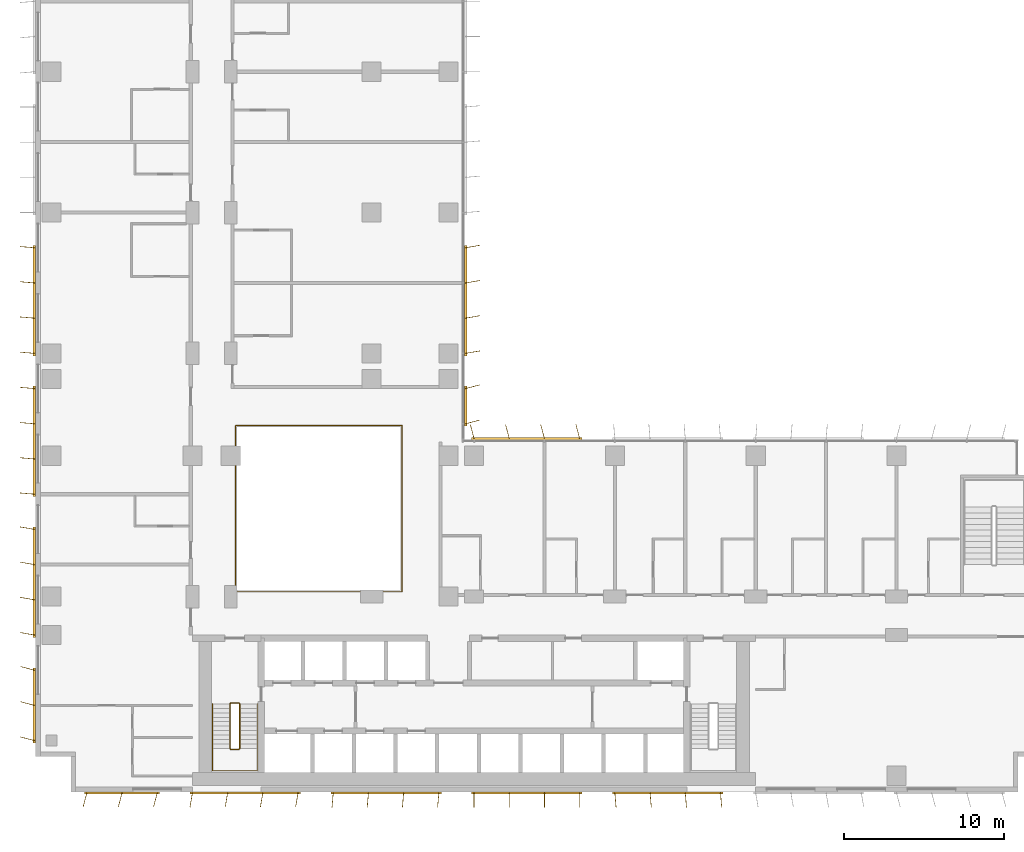
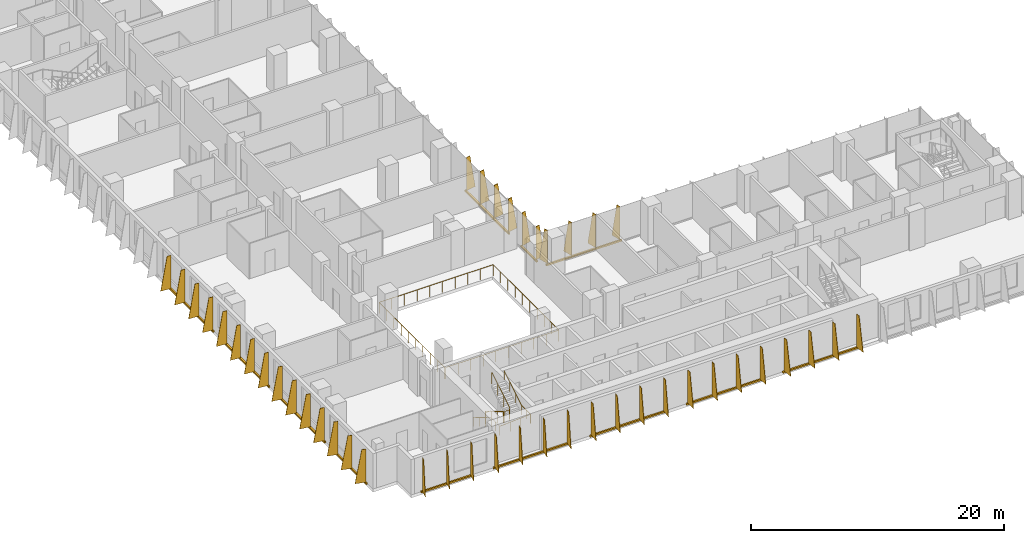
# One storey, part 19 of 22: 12 shading devices, 3 railings.
"""IFC4 building model written with IfcOpenShell, lengths in metres."""

from ifc_helpers import new_model, si_unit, direction, frame, origin, origin_2d, place, context, subcontext, project, spatial, polyline, rectangle, circle, outline, extrude, source, transform, mapped, material, layer, layer_set, type_object, element, save


model = new_model("IFC4")

# Units and contexts
model_context = context("Model", 3, precision=1e-05, world=origin(), true_north=direction((0.0, 1.0)))
body_context = subcontext(model_context, "Body", "Model", "MODEL_VIEW")
ifc_project = project(units=[si_unit("LENGTHUNIT", "METRE"), si_unit("AREAUNIT", "SQUARE_METRE"), si_unit("VOLUMEUNIT", "CUBIC_METRE"), si_unit("PLANEANGLEUNIT", "RADIAN"), si_unit("MASSUNIT", "GRAM", prefix="KILO")], contexts=[model_context])

# Site, building, storey
site_placement = place(None, origin())
site = spatial("IfcSite", under=ifc_project, at=site_placement, CompositionType="ELEMENT")
building_placement = place(site_placement, origin())
building = spatial("IfcBuilding", under=site, at=building_placement, Name="Kemantara Hotel Tower", CompositionType="ELEMENT")
storey_placement = place(building_placement, frame((0.0, 0.0, 107.39990234375)))
storey = spatial("IfcBuildingStorey", under=building, at=storey_placement, Name="L25", CompositionType="ELEMENT", Elevation=107.39990234375)

# Railings
ifc_material_1 = material(Name="Stainless steel and laminated glass balustrade", Category="steel")
railing_type_1 = type_object("IfcRailingType", Name="ATRIUM GUARD 1100", PredefinedType="GUARDRAIL", material=ifc_material_1)
railing_1_placement = place(storey_placement, frame((12.56005859375, 12.5, 0.0)))
element("IfcRailing", 1, at=railing_1_placement, inside=storey, type_object=railing_type_1, Name="ATRIUM GUARD L25", PredefinedType="GUARDRAIL", context=body_context, shape_type="SweptSolid", body=[
    extrude(circle(Radius=0.02490234375, at=origin_2d()), frame((0.0, 0.0, 1.0751953125), z_axis=(1.0, 0.0, 0.0), x_axis=(0.0, 1.0, 0.0)), (0.0, 0.0, 1.0), 10.33984375),
    extrude(circle(Radius=0.02490234375, at=origin_2d()), frame((10.33984375, 0.0, 1.0751953125), z_axis=(0.0, 1.0, 0.0), x_axis=(-1.0, 0.0, 0.0)), (0.0, 0.0, 1.0), 10.39990234375),
    extrude(circle(Radius=0.02490234375, at=origin_2d()), frame((10.33984375, 10.39990234375, 1.0751953125), z_axis=(-1.0, 0.0, 0.0), x_axis=(0.0, -1.0, 0.0)), (0.0, 0.0, 1.0), 10.39990234375),
    extrude(circle(Radius=0.02490234375, at=origin_2d()), frame((-0.06005859375, 10.39990234375, 1.0751953125), z_axis=(0.0, -1.0, 0.0), x_axis=(1.0, 0.0, 0.0)), (0.0, 0.0, 1.0), 10.39990234375),
    extrude(circle(Radius=0.02001953125, at=origin_2d()), origin(), (0.0, 0.0, 1.0), 1.050048828125),
    extrude(circle(Radius=0.02001953125, at=origin_2d()), frame((1.14892578125, 0.0, 0.0)), (0.0, 0.0, 1.0), 1.050048828125),
    extrude(circle(Radius=0.02001953125, at=origin_2d()), frame((2.2978515625, 0.0, 0.0)), (0.0, 0.0, 1.0), 1.050048828125),
    extrude(circle(Radius=0.02001953125, at=origin_2d()), frame((3.446533203125, 0.0, 0.0)), (0.0, 0.0, 1.0), 1.050048828125),
    extrude(circle(Radius=0.02001953125, at=origin_2d()), frame((4.595458984375, 0.0, 0.0)), (0.0, 0.0, 1.0), 1.050048828125),
    extrude(circle(Radius=0.02001953125, at=origin_2d()), frame((5.744384765625, 0.0, 0.0)), (0.0, 0.0, 1.0), 1.050048828125),
    extrude(circle(Radius=0.02001953125, at=origin_2d()), frame((6.893310546875, 0.0, 0.0)), (0.0, 0.0, 1.0), 1.050048828125),
    extrude(circle(Radius=0.02001953125, at=origin_2d()), frame((8.0419921875, 0.0, 0.0)), (0.0, 0.0, 1.0), 1.050048828125),
    extrude(circle(Radius=0.02001953125, at=origin_2d()), frame((9.19091796875, 0.0, 0.0)), (0.0, 0.0, 1.0), 1.050048828125),
    extrude(circle(Radius=0.02001953125, at=origin_2d()), frame((10.33984375, 0.0, 0.0)), (0.0, 0.0, 1.0), 1.050048828125),
    extrude(circle(Radius=0.02001953125, at=origin_2d()), frame((10.33984375, 1.155517578125, 0.0)), (0.0, 0.0, 1.0), 1.050048828125),
    extrude(circle(Radius=0.02001953125, at=origin_2d()), frame((10.33984375, 2.31103515625, 0.0)), (0.0, 0.0, 1.0), 1.050048828125),
    extrude(circle(Radius=0.02001953125, at=origin_2d()), frame((10.33984375, 3.466552734375, 0.0)), (0.0, 0.0, 1.0), 1.050048828125),
    extrude(circle(Radius=0.02001953125, at=origin_2d()), frame((10.33984375, 4.6220703125, 0.0)), (0.0, 0.0, 1.0), 1.050048828125),
    extrude(circle(Radius=0.02001953125, at=origin_2d()), frame((10.33984375, 5.77783203125, 0.0)), (0.0, 0.0, 1.0), 1.050048828125),
    extrude(circle(Radius=0.02001953125, at=origin_2d()), frame((10.33984375, 6.933349609375, 0.0)), (0.0, 0.0, 1.0), 1.050048828125),
    extrude(circle(Radius=0.02001953125, at=origin_2d()), frame((10.33984375, 8.0888671875, 0.0)), (0.0, 0.0, 1.0), 1.050048828125),
    extrude(circle(Radius=0.02001953125, at=origin_2d()), frame((10.33984375, 9.244384765625, 0.0)), (0.0, 0.0, 1.0), 1.050048828125),
    extrude(circle(Radius=0.02001953125, at=origin_2d()), frame((10.33984375, 10.39990234375, 0.0)), (0.0, 0.0, 1.0), 1.050048828125),
    extrude(circle(Radius=0.02001953125, at=origin_2d()), frame((9.184326171875, 10.39990234375, 0.0)), (0.0, 0.0, 1.0), 1.050048828125),
    extrude(circle(Radius=0.02001953125, at=origin_2d()), frame((8.02880859375, 10.39990234375, 0.0)), (0.0, 0.0, 1.0), 1.050048828125),
    extrude(circle(Radius=0.02001953125, at=origin_2d()), frame((6.873291015625, 10.39990234375, 0.0)), (0.0, 0.0, 1.0), 1.050048828125),
    extrude(circle(Radius=0.02001953125, at=origin_2d()), frame((5.7177734375, 10.39990234375, 0.0)), (0.0, 0.0, 1.0), 1.050048828125),
    extrude(circle(Radius=0.02001953125, at=origin_2d()), frame((4.56201171875, 10.39990234375, 0.0)), (0.0, 0.0, 1.0), 1.050048828125),
    extrude(circle(Radius=0.02001953125, at=origin_2d()), frame((3.406494140625, 10.39990234375, 0.0)), (0.0, 0.0, 1.0), 1.050048828125),
    extrude(circle(Radius=0.02001953125, at=origin_2d()), frame((2.2509765625, 10.39990234375, 0.0)), (0.0, 0.0, 1.0), 1.050048828125),
    extrude(circle(Radius=0.02001953125, at=origin_2d()), frame((1.095458984375, 10.39990234375, 0.0)), (0.0, 0.0, 1.0), 1.050048828125),
    extrude(circle(Radius=0.02001953125, at=origin_2d()), frame((-0.06005859375, 10.39990234375, 0.0)), (0.0, 0.0, 1.0), 1.050048828125),
    extrude(circle(Radius=0.02001953125, at=origin_2d()), frame((-0.06005859375, 9.244384765625, 0.0)), (0.0, 0.0, 1.0), 1.050048828125),
    extrude(circle(Radius=0.02001953125, at=origin_2d()), frame((-0.06005859375, 8.0888671875, 0.0)), (0.0, 0.0, 1.0), 1.050048828125),
    extrude(circle(Radius=0.02001953125, at=origin_2d()), frame((-0.06005859375, 6.933349609375, 0.0)), (0.0, 0.0, 1.0), 1.050048828125),
    extrude(circle(Radius=0.02001953125, at=origin_2d()), frame((-0.06005859375, 5.77783203125, 0.0)), (0.0, 0.0, 1.0), 1.050048828125),
    extrude(circle(Radius=0.02001953125, at=origin_2d()), frame((-0.06005859375, 4.6220703125, 0.0)), (0.0, 0.0, 1.0), 1.050048828125),
    extrude(circle(Radius=0.02001953125, at=origin_2d()), frame((-0.06005859375, 3.466552734375, 0.0)), (0.0, 0.0, 1.0), 1.050048828125),
    extrude(circle(Radius=0.02001953125, at=origin_2d()), frame((-0.06005859375, 2.31103515625, 0.0)), (0.0, 0.0, 1.0), 1.050048828125),
    extrude(circle(Radius=0.02001953125, at=origin_2d()), frame((-0.06005859375, 1.155517578125, 0.0)), (0.0, 0.0, 1.0), 1.050048828125),
    extrude(circle(Radius=0.02001953125, at=origin_2d()), frame((-0.06005859375, 0.0, 0.0)), (0.0, 0.0, 1.0), 1.050048828125),
])
ifc_material_2 = material(Name="Stainless steel balustrade", Category="steel")
railing_type_2 = type_object("IfcRailingType", Name="Stair guard 1100 mm", PredefinedType="GUARDRAIL", material=ifc_material_2)
railing_2_placement = place(storey_placement, frame((12.75, 5.5, 3.7001953125)))
element("IfcRailing", 2, at=railing_2_placement, inside=storey, type_object=railing_type_2, Name="L25 ST1 stair guard 1", PredefinedType="GUARDRAIL", context=body_context, shape_type="SweptSolid", body=[
    extrude(circle(Radius=0.02392578125, at=origin_2d()), frame((0.0, 0.0, 1.076171875), z_axis=(0.0, -0.857242210791, -0.514913383045), x_axis=(1.0, 0.0, 0.0)), (0.0, 0.0, 1.0), 3.266357421875),
    extrude(circle(Radius=0.02392578125, at=origin_2d()), frame((0.0, -2.800048828125, -0.60595703125), z_axis=(-0.274243871929, -0.274243871929, -0.92172696468), x_axis=(0.707106781187, -0.707106781187, 0.0)), (0.0, 0.0, 1.0), 0.1826171875),
    extrude(circle(Radius=0.02392578125, at=origin_2d()), frame((-0.050048828125, -2.85009765625, -0.77392578125), z_axis=(-1.0, 0.0, 0.0), x_axis=(0.0, -1.0, 0.0)), (0.0, 0.0, 1.0), 0.5),
    extrude(circle(Radius=0.02392578125, at=origin_2d()), frame((-0.550048828125, -2.85009765625, -0.77392578125), z_axis=(-0.707106781187, 0.707106781187, 0.0), x_axis=(-0.707106781187, -0.707106781187, 0.0)), (0.0, 0.0, 1.0), 0.07080078125),
    extrude(circle(Radius=0.02392578125, at=origin_2d()), frame((-0.60009765625, -2.800048828125, -0.77392578125), z_axis=(0.0, 0.857242210791, -0.514913383045), x_axis=(-1.0, 0.0, 0.0)), (0.0, 0.0, 1.0), 3.266357421875),
    extrude(circle(Radius=0.02392578125, at=origin_2d()), frame((-0.60009765625, 0.0, -2.4560546875), z_axis=(0.274243871929, 0.274243871929, -0.92172696468), x_axis=(-0.707106781187, 0.707106781187, 0.0)), (0.0, 0.0, 1.0), 0.1826171875),
    extrude(circle(Radius=0.02392578125, at=origin_2d()), frame((-0.550048828125, 0.050048828125, -2.6240234375), z_axis=(1.0, 0.0, 0.0), x_axis=(0.0, 1.0, 0.0)), (0.0, 0.0, 1.0), 0.5),
    extrude(circle(Radius=0.02099609375, at=origin_2d()), origin(), (0.0, 0.0, 1.0), 1.052001953125),
    extrude(circle(Radius=0.02099609375, at=origin_2d()), frame((0.0, -0.933349609375, -0.560546875)), (0.0, 0.0, 1.0), 1.052001953125),
    extrude(circle(Radius=0.02099609375, at=origin_2d()), frame((0.0, -1.86669921875, -1.121337890625)), (0.0, 0.0, 1.0), 1.052001953125),
    extrude(circle(Radius=0.02099609375, at=origin_2d()), frame((0.0, -2.800048828125, -1.681884765625)), (0.0, 0.0, 1.0), 1.052001953125),
    extrude(circle(Radius=0.02099609375, at=origin_2d()), frame((-0.050048828125, -2.85009765625, -1.85009765625)), (0.0, 0.0, 1.0), 1.052001953125),
    extrude(circle(Radius=0.02099609375, at=origin_2d()), frame((-0.550048828125, -2.85009765625, -1.85009765625)), (0.0, 0.0, 1.0), 1.052001953125),
    extrude(circle(Radius=0.02099609375, at=origin_2d()), frame((-0.60009765625, -2.800048828125, -1.85009765625)), (0.0, 0.0, 1.0), 1.052001953125),
    extrude(circle(Radius=0.02099609375, at=origin_2d()), frame((-0.60009765625, -1.86669921875, -2.41064453125)), (0.0, 0.0, 1.0), 1.052001953125),
    extrude(circle(Radius=0.02099609375, at=origin_2d()), frame((-0.60009765625, -0.933349609375, -2.971435546875)), (0.0, 0.0, 1.0), 1.052001953125),
    extrude(circle(Radius=0.02099609375, at=origin_2d()), frame((-0.60009765625, 0.0, -3.531982421875)), (0.0, 0.0, 1.0), 1.052001953125),
    extrude(circle(Radius=0.02099609375, at=origin_2d()), frame((-0.550048828125, 0.050048828125, -3.7001953125)), (0.0, 0.0, 1.0), 1.052001953125),
    extrude(circle(Radius=0.02099609375, at=origin_2d()), frame((-0.050048828125, 0.050048828125, -3.7001953125)), (0.0, 0.0, 1.0), 1.052001953125),
])
railing_type_3 = type_object("IfcRailingType", Name="Stair handrail 900 mm", PredefinedType="HANDRAIL", material=ifc_material_2)
railing_3_placement = place(storey_placement, frame((11.050048828125, 5.5, 0.168212890625)))
element("IfcRailing", 3, at=railing_3_placement, inside=storey, type_object=railing_type_3, Name="L25 ST1 stair handrail 1", PredefinedType="HANDRAIL", context=body_context, shape_type="SweptSolid", body=[
    extrude(circle(Radius=0.02392578125, at=origin_2d()), frame((0.0, 0.0, 0.8759765625), z_axis=(0.0, -0.857242210791, 0.514913383045), x_axis=(1.0, 0.0, 0.0)), (0.0, 0.0, 1.0), 3.266357421875),
    extrude(circle(Radius=0.02392578125, at=origin_2d()), frame((0.0, -2.800048828125, 2.5576171875), z_axis=(0.0, -1.0, 0.0), x_axis=(1.0, 0.0, 0.0)), (0.0, 0.0, 1.0), 1.3798828125),
    extrude(circle(Radius=0.02392578125, at=origin_2d()), frame((0.0, -4.179931640625, 2.5576171875), z_axis=(0.998200367801, 0.0, 0.059966871865), x_axis=(0.0, 1.0, 0.0)), (0.0, 0.0, 1.0), 2.80517578125),
    extrude(circle(Radius=0.02392578125, at=origin_2d()), frame((2.800048828125, -4.179931640625, 2.72607421875), z_axis=(0.0, 1.0, 0.0), x_axis=(-1.0, 0.0, 0.0)), (0.0, 0.0, 1.0), 1.3798828125),
    extrude(circle(Radius=0.02392578125, at=origin_2d()), frame((2.800048828125, -2.800048828125, 2.72607421875), z_axis=(0.0, 0.857242210791, 0.514913383045), x_axis=(-1.0, 0.0, 0.0)), (0.0, 0.0, 1.0), 3.266357421875),
    extrude(circle(Radius=0.02099609375, at=origin_2d()), origin(), (0.0, 0.0, 1.0), 0.851806640625),
    extrude(circle(Radius=0.02099609375, at=origin_2d()), frame((0.0, -0.933349609375, 0.560546875)), (0.0, 0.0, 1.0), 0.851806640625),
    extrude(circle(Radius=0.02099609375, at=origin_2d()), frame((0.0, -1.86669921875, 1.121337890625)), (0.0, 0.0, 1.0), 0.851806640625),
    extrude(circle(Radius=0.02099609375, at=origin_2d()), frame((0.0, -2.800048828125, 1.681884765625)), (0.0, 0.0, 1.0), 0.851806640625),
    extrude(circle(Radius=0.02099609375, at=origin_2d()), frame((0.0, -3.489990234375, 1.681884765625)), (0.0, 0.0, 1.0), 0.851806640625),
    extrude(circle(Radius=0.02099609375, at=origin_2d()), frame((0.0, -4.179931640625, 1.681884765625)), (0.0, 0.0, 1.0), 0.851806640625),
    extrude(circle(Radius=0.02099609375, at=origin_2d()), frame((0.933349609375, -4.179931640625, 1.738037109375)), (0.0, 0.0, 1.0), 0.851806640625),
    extrude(circle(Radius=0.02099609375, at=origin_2d()), frame((1.86669921875, -4.179931640625, 1.7939453125)), (0.0, 0.0, 1.0), 0.851806640625),
    extrude(circle(Radius=0.02099609375, at=origin_2d()), frame((2.800048828125, -4.179931640625, 1.85009765625)), (0.0, 0.0, 1.0), 0.851806640625),
    extrude(circle(Radius=0.02099609375, at=origin_2d()), frame((2.800048828125, -3.489990234375, 1.85009765625)), (0.0, 0.0, 1.0), 0.851806640625),
    extrude(circle(Radius=0.02099609375, at=origin_2d()), frame((2.800048828125, -2.800048828125, 1.85009765625)), (0.0, 0.0, 1.0), 0.851806640625),
    extrude(circle(Radius=0.02099609375, at=origin_2d()), frame((2.800048828125, -1.86669921875, 2.41064453125)), (0.0, 0.0, 1.0), 0.851806640625),
    extrude(circle(Radius=0.02099609375, at=origin_2d()), frame((2.800048828125, -0.933349609375, 2.971435546875)), (0.0, 0.0, 1.0), 0.851806640625),
    extrude(circle(Radius=0.02099609375, at=origin_2d()), frame((2.800048828125, 0.0, 3.531982421875)), (0.0, 0.0, 1.0), 0.851806640625),
])

# Shading devices
ifc_material_3 = material(Name="Perforated aluminium plate 4 mm bronze anodised", Category="aluminium")
ifc_layer_1 = layer(ifc_material_3, 0.0400390625)
ifc_layer_set_1 = layer_set([ifc_layer_1], Name="Perforated aluminium plate 4 mm bronze anodised")
shading_device_type_1 = type_object("IfcShadingDeviceType", Name="SCREEN FIN CASSETTE, 3 BLADES AT -15.0 DEG, 3200 HIGH", PredefinedType="USERDEFINED", material=ifc_layer_set_1)
shared_shape_1 = source(origin(), body_context, "Body", "SweptSolid", [
    extrude(rectangle(XDim=4.699951171875, YDim=0.14990234375, at=origin_2d()), frame((2.199951171875, -0.074951171875, -0.14990234375), z_axis=(0.0, 0.0, 1.0), x_axis=(1.0, 0.0, 0.0)), (0.0, 0.0, 1.0), 0.14990234375),
    extrude(outline(polyline([(0.0, 0.0), (0.89990234375, 0.0), (0.35009765625, 3.199951171875), (0.0, 3.199951171875), (0.0, 0.0)])), frame((0.019287109375, -0.080078125, 0.0), z_axis=(-0.966437683387, 0.256901156343, 0.0), x_axis=(-0.256901156343, -0.966437683387, 0.0)), (0.0, 0.0, 1.0), 0.039794921875),
    extrude(outline(polyline([(0.0, 0.0), (0.89990234375, 0.0), (0.35009765625, 3.199951171875), (0.0, 3.199951171875), (0.0, 0.0)])), frame((2.21923828125, -0.080078125, 0.0), z_axis=(-0.966437683387, 0.256901156343, 0.0), x_axis=(-0.256901156343, -0.966437683387, 0.0)), (0.0, 0.0, 1.0), 0.039794921875),
    extrude(outline(polyline([(0.0, 0.0), (0.89990234375, 0.0), (0.35009765625, 3.199951171875), (0.0, 3.199951171875), (0.0, 0.0)])), frame((4.41943359375, -0.080078125, 0.0), z_axis=(-0.966837822169, 0.255391122837, 0.0), x_axis=(-0.255391122837, -0.966837822169, 0.0)), (0.0, 0.0, 1.0), 0.0400390625),
])
for number, where, z_axis, x_axis, name in (
    (4, (0.0, 7.60009765625, 0.10009765625), (0.0, 0.0, 1.0), (0.0, -1.0, 0.0), "SCREEN FIN CASSETTE L25 T2-R04-9"),
    (5, (3.199951171875, 0.0, 0.10009765625), (0.0, 0.0, 1.0), (1.0, 0.0, 0.0), "SCREEN FIN CASSETTE L25 T2-R07-1"),
):
    element("IfcShadingDevice", number, at=place(storey_placement, frame(where, z_axis=z_axis, x_axis=x_axis)), inside=storey, type_object=shading_device_type_1, Name=name, ObjectType="SCREEN FIN", PredefinedType="USERDEFINED", context=body_context, shape_type="MappedRepresentation", body=[
        mapped(shared_shape_1, transform((0.0, 0.0, 0.0))),
    ])
ifc_layer_2 = layer(ifc_material_3, 0.0400390625)
ifc_layer_set_2 = layer_set([ifc_layer_2], Name="Perforated aluminium plate 4 mm bronze anodised")
shading_device_type_2 = type_object("IfcShadingDeviceType", Name="SCREEN FIN CASSETTE, 4 BLADES AT -10.0 DEG, 3200 HIGH", PredefinedType="USERDEFINED", material=ifc_layer_set_2)
shared_shape_2 = source(origin(), body_context, "Body", "SweptSolid", [
    extrude(rectangle(XDim=6.89990234375, YDim=0.14990234375, at=origin_2d()), frame((3.300048828125, -0.074951171875, -0.14990234375), z_axis=(0.0, 0.0, 1.0), x_axis=(1.0, 0.0, 0.0)), (0.0, 0.0, 1.0), 0.14990234375),
    extrude(outline(polyline([(0.0, 0.0), (0.89990234375, 0.0), (0.35009765625, 3.199951171875), (0.0, 3.199951171875), (0.0, 0.0)])), frame((0.019775390625, -0.078369140625, 0.0), z_axis=(-0.985389793052, 0.170314285219, 0.0), x_axis=(-0.170314285219, -0.985389793052, 0.0)), (0.0, 0.0, 1.0), 0.0400390625),
    extrude(outline(polyline([(0.0, 0.0), (0.89990234375, 0.0), (0.35009765625, 3.199951171875), (0.0, 3.199951171875), (0.0, 0.0)])), frame((2.2197265625, -0.078369140625, 0.0), z_axis=(-0.98521175482, 0.171341174751, 0.0), x_axis=(-0.171341174751, -0.98521175482, 0.0)), (0.0, 0.0, 1.0), 0.039794921875),
    extrude(outline(polyline([(0.0, 0.0), (0.89990234375, 0.0), (0.35009765625, 3.199951171875), (0.0, 3.199951171875), (0.0, 0.0)])), frame((4.419677734375, -0.078369140625, 0.0), z_axis=(-0.98521175482, 0.171341174751, 0.0), x_axis=(-0.171341174751, -0.98521175482, 0.0)), (0.0, 0.0, 1.0), 0.039794921875),
    extrude(outline(polyline([(0.0, 0.0), (0.89990234375, 0.0), (0.35009765625, 3.199951171875), (0.0, 3.199951171875), (0.0, 0.0)])), frame((6.61962890625, -0.078369140625, 0.0), z_axis=(-0.98521175482, 0.171341174751, 0.0), x_axis=(-0.171341174751, -0.98521175482, 0.0)), (0.0, 0.0, 1.0), 0.039794921875),
])
for number, where, z_axis, x_axis, name in (
    (6, (0.0, 16.39990234375, 0.10009765625), (0.0, 0.0, 1.0), (0.0, -1.0, 0.0), "SCREEN FIN CASSETTE L25 T2-R04-8"),
    (7, (9.800048828125, 0.0, 0.10009765625), (0.0, 0.0, 1.0), (1.0, 0.0, 0.0), "SCREEN FIN CASSETTE L25 T2-R07-2"),
):
    element("IfcShadingDevice", number, at=place(storey_placement, frame(where, z_axis=z_axis, x_axis=x_axis)), inside=storey, type_object=shading_device_type_2, Name=name, ObjectType="SCREEN FIN", PredefinedType="USERDEFINED", context=body_context, shape_type="MappedRepresentation", body=[
        mapped(shared_shape_2, transform((0.0, 0.0, 0.0))),
    ])
ifc_layer_3 = layer(ifc_material_3, 0.0400390625)
ifc_layer_set_3 = layer_set([ifc_layer_3], Name="Perforated aluminium plate 4 mm bronze anodised")
shading_device_type_3 = type_object("IfcShadingDeviceType", Name="SCREEN FIN CASSETTE, 4 BLADES AT -5.0 DEG, 3200 HIGH", PredefinedType="USERDEFINED", material=ifc_layer_set_3)
shared_shape_3 = source(origin(), body_context, "Body", "SweptSolid", [
    extrude(rectangle(XDim=6.89990234375, YDim=0.14990234375, at=origin_2d()), frame((3.300048828125, -0.074951171875, -0.14990234375), z_axis=(0.0, 0.0, 1.0), x_axis=(1.0, 0.0, 0.0)), (0.0, 0.0, 1.0), 0.14990234375),
    extrude(outline(polyline([(0.0, 0.0), (0.89990234375, 0.0), (0.35009765625, 3.199951171875), (0.0, 3.199951171875), (0.0, 0.0)])), frame((0.02001953125, -0.07666015625, 0.0), z_axis=(-0.996376129781, 0.085056498884, 0.0), x_axis=(-0.085056498884, -0.996376129781, 0.0)), (0.0, 0.0, 1.0), 0.040283203125),
    extrude(outline(polyline([(0.0, 0.0), (0.89990234375, 0.0), (0.35009765625, 3.199951171875), (0.0, 3.199951171875), (0.0, 0.0)])), frame((2.219970703125, -0.07666015625, 0.0), z_axis=(-0.996331773833, 0.085574508182, 0.0), x_axis=(-0.085574508182, -0.996331773833, 0.0)), (0.0, 0.0, 1.0), 0.0400390625),
    extrude(outline(polyline([(0.0, 0.0), (0.89990234375, 0.0), (0.35009765625, 3.199951171875), (0.0, 3.199951171875), (0.0, 0.0)])), frame((4.419921875, -0.07666015625, 0.0), z_axis=(-0.996331773833, 0.085574508182, 0.0), x_axis=(-0.085574508182, -0.996331773833, 0.0)), (0.0, 0.0, 1.0), 0.0400390625),
    extrude(outline(polyline([(0.0, 0.0), (0.89990234375, 0.0), (0.35009765625, 3.199951171875), (0.0, 3.199951171875), (0.0, 0.0)])), frame((6.619873046875, -0.07666015625, 0.0), z_axis=(-0.996331773833, 0.085574508182, 0.0), x_axis=(-0.085574508182, -0.996331773833, 0.0)), (0.0, 0.0, 1.0), 0.0400390625),
])
for number, where, z_axis, x_axis, name in (
    (8, (0.0, 34.0, 0.10009765625), (0.0, 0.0, 1.0), (0.0, -1.0, 0.0), "SCREEN FIN CASSETTE L25 T2-R04-6"),
    (9, (0.0, 25.199951171875, 0.10009765625), (0.0, 0.0, 1.0), (0.0, -1.0, 0.0), "SCREEN FIN CASSETTE L25 T2-R04-7"),
    (10, (18.60009765625, 0.0, 0.10009765625), (0.0, 0.0, 1.0), (1.0, 0.0, 0.0), "SCREEN FIN CASSETTE L25 T2-R07-3"),
):
    element("IfcShadingDevice", number, at=place(storey_placement, frame(where, z_axis=z_axis, x_axis=x_axis)), inside=storey, type_object=shading_device_type_3, Name=name, ObjectType="SCREEN FIN", PredefinedType="USERDEFINED", context=body_context, shape_type="MappedRepresentation", body=[
        mapped(shared_shape_3, transform((0.0, 0.0, 0.0))),
    ])
ifc_layer_4 = layer(ifc_material_3, 0.0400390625)
ifc_layer_set_4 = layer_set([ifc_layer_4], Name="Perforated aluminium plate 4 mm bronze anodised")
shading_device_type_4 = type_object("IfcShadingDeviceType", Name="SCREEN FIN CASSETTE, 4 BLADES AT +0.0 DEG, 3200 HIGH", PredefinedType="USERDEFINED", material=ifc_layer_set_4)
shared_shape_4 = source(origin(), body_context, "Body", "SweptSolid", [
    extrude(rectangle(XDim=6.89990234375, YDim=0.14990234375, at=origin_2d()), frame((3.300048828125, -0.074951171875, -0.14990234375), z_axis=(0.0, 0.0, 1.0), x_axis=(1.0, 0.0, 0.0)), (0.0, 0.0, 1.0), 0.14990234375),
    extrude(outline(polyline([(0.0, 0.0), (0.89990234375, 0.0), (0.35009765625, 3.199951171875), (0.0, 3.199951171875), (0.0, 0.0)])), frame((0.02001953125, -0.074951171875, 0.0), z_axis=(-1.0, 0.0, 0.0), x_axis=(0.0, -1.0, 0.0)), (0.0, 0.0, 1.0), 0.0400390625),
    extrude(outline(polyline([(0.0, 0.0), (0.89990234375, 0.0), (0.35009765625, 3.199951171875), (0.0, 3.199951171875), (0.0, 0.0)])), frame((2.219970703125, -0.074951171875, 0.0), z_axis=(-1.0, 0.0, 0.0), x_axis=(0.0, -1.0, 0.0)), (0.0, 0.0, 1.0), 0.0400390625),
    extrude(outline(polyline([(0.0, 0.0), (0.89990234375, 0.0), (0.35009765625, 3.199951171875), (0.0, 3.199951171875), (0.0, 0.0)])), frame((4.419921875, -0.074951171875, 0.0), z_axis=(-1.0, 0.0, 0.0), x_axis=(0.0, -1.0, 0.0)), (0.0, 0.0, 1.0), 0.0400390625),
    extrude(outline(polyline([(0.0, 0.0), (0.89990234375, 0.0), (0.35009765625, 3.199951171875), (0.0, 3.199951171875), (0.0, 0.0)])), frame((6.6201171875, -0.074951171875, 0.0), z_axis=(-1.0, 0.0, 0.0), x_axis=(0.0, -1.0, 0.0)), (0.0, 0.0, 1.0), 0.0400390625),
])
shading_device_1_placement = place(storey_placement, frame((27.39990234375, 0.0, 0.10009765625), z_axis=(0.0, 0.0, 1.0), x_axis=(1.0, 0.0, 0.0)))
element("IfcShadingDevice", 11, at=shading_device_1_placement, inside=storey, type_object=shading_device_type_4, Name="SCREEN FIN CASSETTE L25 T2-R07-4", ObjectType="SCREEN FIN", PredefinedType="USERDEFINED", context=body_context, shape_type="MappedRepresentation", body=[
    mapped(shared_shape_4, transform((0.0, 0.0, 0.0))),
])
ifc_layer_5 = layer(ifc_material_3, 0.0400390625)
ifc_layer_set_5 = layer_set([ifc_layer_5], Name="Perforated aluminium plate 4 mm bronze anodised")
shading_device_type_5 = type_object("IfcShadingDeviceType", Name="SCREEN FIN CASSETTE, 4 BLADES AT +5.0 DEG, 3200 HIGH", PredefinedType="USERDEFINED", material=ifc_layer_set_5)
shared_shape_5 = source(origin(), body_context, "Body", "SweptSolid", [
    extrude(rectangle(XDim=6.89990234375, YDim=0.14990234375, at=origin_2d()), frame((3.300048828125, -0.074951171875, -0.14990234375), z_axis=(0.0, 0.0, 1.0), x_axis=(1.0, 0.0, 0.0)), (0.0, 0.0, 1.0), 0.14990234375),
    extrude(outline(polyline([(0.0, 0.0), (0.89990234375, 0.0), (0.35009765625, 3.199951171875), (0.0, 3.199951171875), (0.0, 0.0)])), frame((0.02001953125, -0.0732421875, 0.0), z_axis=(-0.996376129781, -0.085056498884, 0.0), x_axis=(0.085056498884, -0.996376129781, 0.0)), (0.0, 0.0, 1.0), 0.040283203125),
    extrude(outline(polyline([(0.0, 0.0), (0.89990234375, 0.0), (0.35009765625, 3.199951171875), (0.0, 3.199951171875), (0.0, 0.0)])), frame((2.219970703125, -0.0732421875, 0.0), z_axis=(-0.996331773833, -0.085574508182, 0.0), x_axis=(0.085574508182, -0.996331773833, 0.0)), (0.0, 0.0, 1.0), 0.0400390625),
    extrude(outline(polyline([(0.0, 0.0), (0.89990234375, 0.0), (0.35009765625, 3.199951171875), (0.0, 3.199951171875), (0.0, 0.0)])), frame((4.419921875, -0.0732421875, 0.0), z_axis=(-0.996331773833, -0.085574508182, 0.0), x_axis=(0.085574508182, -0.996331773833, 0.0)), (0.0, 0.0, 1.0), 0.0400390625),
    extrude(outline(polyline([(0.0, 0.0), (0.89990234375, 0.0), (0.35009765625, 3.199951171875), (0.0, 3.199951171875), (0.0, 0.0)])), frame((6.619873046875, -0.0732421875, 0.0), z_axis=(-0.996331773833, -0.085574508182, 0.0), x_axis=(0.085574508182, -0.996331773833, 0.0)), (0.0, 0.0, 1.0), 0.0400390625),
])
shading_device_2_placement = place(storey_placement, frame((36.199951171875, 0.0, 0.10009765625), z_axis=(0.0, 0.0, 1.0), x_axis=(1.0, 0.0, 0.0)))
element("IfcShadingDevice", 12, at=shading_device_2_placement, inside=storey, type_object=shading_device_type_5, Name="SCREEN FIN CASSETTE L25 T2-R07-5", ObjectType="SCREEN FIN", PredefinedType="USERDEFINED", context=body_context, shape_type="MappedRepresentation", body=[
    mapped(shared_shape_5, transform((0.0, 0.0, 0.0))),
])
ifc_layer_6 = layer(ifc_material_3, 0.0400390625)
ifc_layer_set_6 = layer_set([ifc_layer_6], Name="Perforated aluminium plate 4 mm bronze anodised")
shading_device_type_6 = type_object("IfcShadingDeviceType", Name="SCREEN FIN CASSETTE, 4 BLADES AT +10.0 DEG, 3200 HIGH", PredefinedType="USERDEFINED", material=ifc_layer_set_6)
shared_shape_6 = source(origin(), body_context, "Body", "SweptSolid", [
    extrude(rectangle(XDim=6.89990234375, YDim=0.14990234375, at=origin_2d()), frame((3.300048828125, -0.074951171875, -0.14990234375), z_axis=(0.0, 0.0, 1.0), x_axis=(1.0, 0.0, 0.0)), (0.0, 0.0, 1.0), 0.14990234375),
    extrude(outline(polyline([(0.0, 0.0), (0.89990234375, 0.0), (0.35009765625, 3.199951171875), (0.0, 3.199951171875), (0.0, 0.0)])), frame((0.019775390625, -0.071533203125, 0.0), z_axis=(-0.985389793052, -0.170314285219, 0.0), x_axis=(0.170314285219, -0.985389793052, 0.0)), (0.0, 0.0, 1.0), 0.0400390625),
    extrude(outline(polyline([(0.0, 0.0), (0.89990234375, 0.0), (0.35009765625, 3.199951171875), (0.0, 3.199951171875), (0.0, 0.0)])), frame((2.2197265625, -0.071533203125, 0.0), z_axis=(-0.98521175482, -0.171341174751, 0.0), x_axis=(0.171341174751, -0.98521175482, 0.0)), (0.0, 0.0, 1.0), 0.039794921875),
    extrude(outline(polyline([(0.0, 0.0), (0.89990234375, 0.0), (0.35009765625, 3.199951171875), (0.0, 3.199951171875), (0.0, 0.0)])), frame((4.419677734375, -0.071533203125, 0.0), z_axis=(-0.98521175482, -0.171341174751, 0.0), x_axis=(0.171341174751, -0.98521175482, 0.0)), (0.0, 0.0, 1.0), 0.039794921875),
    extrude(outline(polyline([(0.0, 0.0), (0.89990234375, 0.0), (0.35009765625, 3.199951171875), (0.0, 3.199951171875), (0.0, 0.0)])), frame((6.61962890625, -0.071533203125, 0.0), z_axis=(-0.98521175482, -0.171341174751, 0.0), x_axis=(0.171341174751, -0.98521175482, 0.0)), (0.0, 0.0, 1.0), 0.039794921875),
])
shading_device_3_placement = place(storey_placement, frame((26.800048828125, 27.39990234375, 0.10009765625), z_axis=(0.0, 0.0, 1.0), x_axis=(0.0, 1.0, 0.0)))
element("IfcShadingDevice", 13, at=shading_device_3_placement, inside=storey, type_object=shading_device_type_6, Name="SCREEN FIN CASSETTE L25 T2-R14-2", ObjectType="SCREEN FIN", PredefinedType="USERDEFINED", context=body_context, shape_type="MappedRepresentation", body=[
    mapped(shared_shape_6, transform((0.0, 0.0, 0.0))),
])
ifc_layer_7 = layer(ifc_material_3, 0.0400390625)
ifc_layer_set_7 = layer_set([ifc_layer_7], Name="Perforated aluminium plate 4 mm bronze anodised")
shading_device_type_7 = type_object("IfcShadingDeviceType", Name="SCREEN FIN CASSETTE, 4 BLADES AT +15.0 DEG, 3200 HIGH", PredefinedType="USERDEFINED", material=ifc_layer_set_7)
shared_shape_7 = source(origin(), body_context, "Body", "SweptSolid", [
    extrude(rectangle(XDim=6.89990234375, YDim=0.14990234375, at=origin_2d()), frame((3.300048828125, -0.074951171875, -0.14990234375), z_axis=(0.0, 0.0, 1.0), x_axis=(1.0, 0.0, 0.0)), (0.0, 0.0, 1.0), 0.14990234375),
    extrude(outline(polyline([(0.0, 0.0), (0.89990234375, 0.0), (0.35009765625, 3.199951171875), (0.0, 3.199951171875), (0.0, 0.0)])), frame((0.019287109375, -0.06982421875, 0.0), z_axis=(-0.966437683387, -0.256901156343, 0.0), x_axis=(0.256901156343, -0.966437683387, 0.0)), (0.0, 0.0, 1.0), 0.039794921875),
    extrude(outline(polyline([(0.0, 0.0), (0.89990234375, 0.0), (0.35009765625, 3.199951171875), (0.0, 3.199951171875), (0.0, 0.0)])), frame((2.21923828125, -0.06982421875, 0.0), z_axis=(-0.966437683387, -0.256901156343, 0.0), x_axis=(0.256901156343, -0.966437683387, 0.0)), (0.0, 0.0, 1.0), 0.039794921875),
    extrude(outline(polyline([(0.0, 0.0), (0.89990234375, 0.0), (0.35009765625, 3.199951171875), (0.0, 3.199951171875), (0.0, 0.0)])), frame((4.41943359375, -0.06982421875, 0.0), z_axis=(-0.966837822169, -0.255391122837, 0.0), x_axis=(0.255391122837, -0.966837822169, 0.0)), (0.0, 0.0, 1.0), 0.0400390625),
    extrude(outline(polyline([(0.0, 0.0), (0.89990234375, 0.0), (0.35009765625, 3.199951171875), (0.0, 3.199951171875), (0.0, 0.0)])), frame((6.619384765625, -0.06982421875, 0.0), z_axis=(-0.966837822169, -0.255391122837, 0.0), x_axis=(0.255391122837, -0.966837822169, 0.0)), (0.0, 0.0, 1.0), 0.0400390625),
])
shading_device_4_placement = place(storey_placement, frame((34.0, 22.0, 0.10009765625), z_axis=(0.0, 0.0, 1.0), x_axis=(-1.0, 0.0, 0.0)))
element("IfcShadingDevice", 14, at=shading_device_4_placement, inside=storey, type_object=shading_device_type_7, Name="SCREEN FIN CASSETTE L25 T2-R13-4", ObjectType="SCREEN FIN", PredefinedType="USERDEFINED", context=body_context, shape_type="MappedRepresentation", body=[
    mapped(shared_shape_7, transform((0.0, 0.0, 0.0))),
])
ifc_layer_8 = layer(ifc_material_3, 0.0400390625)
ifc_layer_set_8 = layer_set([ifc_layer_8], Name="Perforated aluminium plate 4 mm bronze anodised")
shading_device_type_8 = type_object("IfcShadingDeviceType", Name="SCREEN FIN CASSETTE, 2 BLADES AT +15.0 DEG, 3200 HIGH", PredefinedType="USERDEFINED", material=ifc_layer_set_8)
shared_shape_8 = source(origin(), body_context, "Body", "SweptSolid", [
    extrude(rectangle(XDim=2.5, YDim=0.14990234375, at=origin_2d()), frame((1.10009765625, -0.074951171875, -0.14990234375), z_axis=(0.0, 0.0, 1.0), x_axis=(1.0, 0.0, 0.0)), (0.0, 0.0, 1.0), 0.14990234375),
    extrude(outline(polyline([(0.0, 0.0), (0.89990234375, 0.0), (0.35009765625, 3.199951171875), (0.0, 3.199951171875), (0.0, 0.0)])), frame((0.019287109375, -0.06982421875, 0.0), z_axis=(-0.966437683387, -0.256901156343, 0.0), x_axis=(0.256901156343, -0.966437683387, 0.0)), (0.0, 0.0, 1.0), 0.039794921875),
    extrude(outline(polyline([(0.0, 0.0), (0.89990234375, 0.0), (0.35009765625, 3.199951171875), (0.0, 3.199951171875), (0.0, 0.0)])), frame((2.21923828125, -0.06982421875, 0.0), z_axis=(-0.966437683387, -0.256901156343, 0.0), x_axis=(0.256901156343, -0.966437683387, 0.0)), (0.0, 0.0, 1.0), 0.039794921875),
])
shading_device_5_placement = place(storey_placement, frame((26.800048828125, 23.0, 0.10009765625), z_axis=(0.0, 0.0, 1.0), x_axis=(0.0, 1.0, 0.0)))
element("IfcShadingDevice", 15, at=shading_device_5_placement, inside=storey, type_object=shading_device_type_8, Name="SCREEN FIN CASSETTE L25 T2-R14-1", ObjectType="SCREEN FIN", PredefinedType="USERDEFINED", context=body_context, shape_type="MappedRepresentation", body=[
    mapped(shared_shape_8, transform((0.0, 0.0, 0.0))),
])

save(model, "model.ifc")
